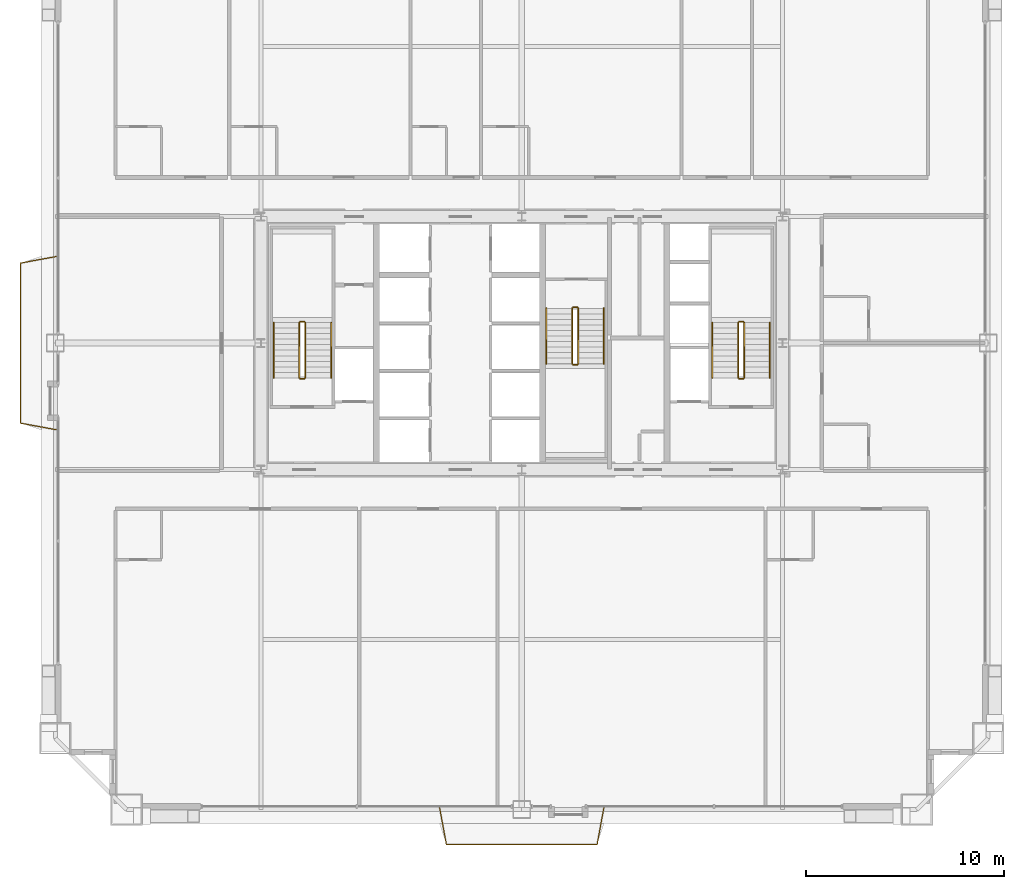
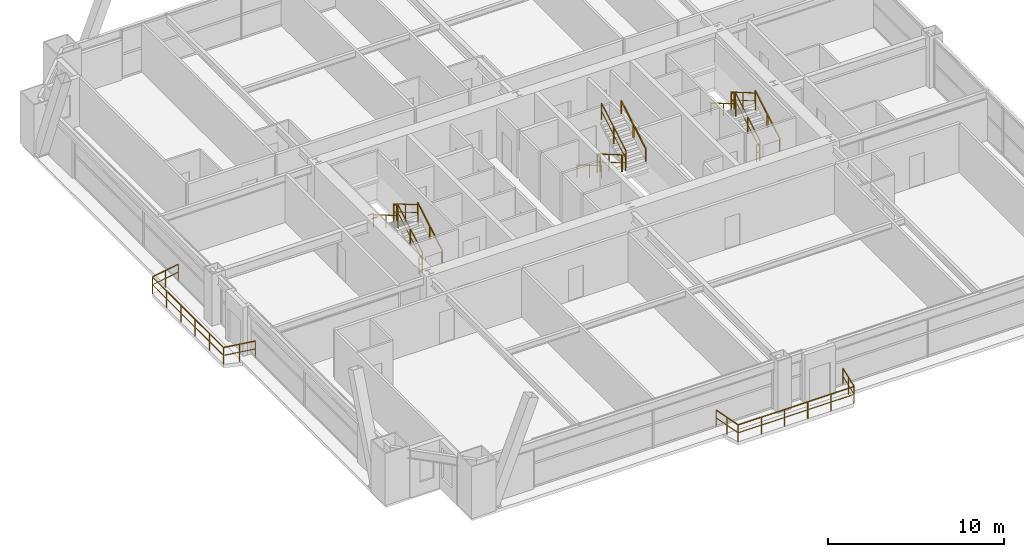
# One storey, part 41 of 41: 20 railings.
"""IFC4 building model written with IfcOpenShell, lengths in metres."""

from ifc_helpers import new_model, si_unit, direction, frame, origin, origin_2d, place, context, subcontext, project, spatial, rectangle, extrude, source, transform, mapped, material, layer, layer_set, type_object, element, save


model = new_model("IFC4")

# Units and contexts
model_context = context("Model", 3, precision=1e-05, world=origin(), true_north=direction((0.0, 1.0)))
body_context = subcontext(model_context, "Body", "Model", "MODEL_VIEW")
ifc_project = project(units=[si_unit("LENGTHUNIT", "METRE"), si_unit("AREAUNIT", "SQUARE_METRE"), si_unit("VOLUMEUNIT", "CUBIC_METRE"), si_unit("PLANEANGLEUNIT", "RADIAN"), si_unit("MASSUNIT", "GRAM", prefix="KILO"), si_unit("THERMODYNAMICTEMPERATUREUNIT", "KELVIN"), si_unit("POWERUNIT", "WATT")], contexts=[model_context])

# Site, building, storey
site_placement = place(None, origin())
site = spatial("IfcSite", under=ifc_project, at=site_placement, CompositionType="ELEMENT")
building_placement = place(site_placement, origin())
building = spatial("IfcBuilding", under=site, at=building_placement, Name="Yuzanri Waterfront Tower", CompositionType="ELEMENT")
storey_placement = place(building_placement, frame((0.0, 0.0, 115.39990234375)))
storey = spatial("IfcBuildingStorey", under=building, at=storey_placement, Name="L30", CompositionType="ELEMENT", Elevation=115.39990234375)

# Railings
ifc_material_1 = material(Name="Anodized Architectural Bronze", Category="metal")
ifc_layer_1 = layer(ifc_material_1, 0.080078125)
ifc_layer_set_1 = layer_set([ifc_layer_1], Name="Anodized Architectural Bronze")
railing_type_1 = type_object("IfcRailingType", Name="Laminated Glass and Bronze Balcony Guardrail 1200", PredefinedType="BALUSTRADE", material=ifc_layer_set_1)
shared_shape_1 = source(origin(), body_context, "Body", "SweptSolid", [
    extrude(rectangle(XDim=0.050048828125, YDim=0.050048828125, at=origin_2d()), frame((0.0, 0.0, 1.1748046875), z_axis=(0.180190088333, -0.983631807165, 0.0), x_axis=(0.983631807165, 0.180190088333, 0.0)), (0.0, 0.0, 1.0), 1.94287109375),
    extrude(rectangle(XDim=0.035888671875, YDim=0.030029296875, at=origin_2d()), frame((0.0, 0.0, 0.6240234375), z_axis=(0.180190088333, -0.983631807165, 0.0), x_axis=(0.983631807165, 0.180190088333, 0.0)), (0.0, 0.0, 1.0), 1.94287109375),
    extrude(rectangle(XDim=0.050048828125, YDim=0.050048828125, at=origin_2d()), frame((0.35009765625, -1.9111328125, 1.1748046875), z_axis=(1.0, 0.0, 0.0), x_axis=(0.0, 1.0, 0.0)), (0.0, 0.0, 1.0), 7.6298828125),
    extrude(rectangle(XDim=0.035888671875, YDim=0.030029296875, at=origin_2d()), frame((0.35009765625, -1.9111328125, 0.6240234375), z_axis=(1.0, 0.0, 0.0), x_axis=(0.0, 1.0, 0.0)), (0.0, 0.0, 1.0), 7.6298828125),
    extrude(rectangle(XDim=0.050048828125, YDim=0.050048828125, at=origin_2d()), frame((7.97998046875, -1.9111328125, 1.1748046875), z_axis=(0.180190088333, 0.983631807165, 0.0), x_axis=(-0.983631807165, 0.180190088333, 0.0)), (0.0, 0.0, 1.0), 1.94287109375),
    extrude(rectangle(XDim=0.035888671875, YDim=0.030029296875, at=origin_2d()), frame((7.97998046875, -1.9111328125, 0.6240234375), z_axis=(0.180190088333, 0.983631807165, 0.0), x_axis=(-0.983631807165, 0.180190088333, 0.0)), (0.0, 0.0, 1.0), 1.94287109375),
    extrude(rectangle(XDim=0.0458984375, YDim=0.0458984375, at=origin_2d()), origin(), (0.0, 0.0, 1.0), 1.14990234375),
    extrude(rectangle(XDim=0.0458984375, YDim=0.0458984375, at=origin_2d()), frame((0.175048828125, -0.95556640625, 0.0)), (0.0, 0.0, 1.0), 1.14990234375),
    extrude(rectangle(XDim=0.0458984375, YDim=0.0458984375, at=origin_2d()), frame((0.35009765625, -1.9111328125, 0.0)), (0.0, 0.0, 1.0), 1.14990234375),
    extrude(rectangle(XDim=0.0458984375, YDim=0.0458984375, at=origin_2d()), frame((1.8759765625, -1.9111328125, 0.0)), (0.0, 0.0, 1.0), 1.14990234375),
    extrude(rectangle(XDim=0.0458984375, YDim=0.0458984375, at=origin_2d()), frame((3.402099609375, -1.9111328125, 0.0)), (0.0, 0.0, 1.0), 1.14990234375),
    extrude(rectangle(XDim=0.0458984375, YDim=0.0458984375, at=origin_2d()), frame((4.927978515625, -1.9111328125, 0.0)), (0.0, 0.0, 1.0), 1.14990234375),
    extrude(rectangle(XDim=0.0458984375, YDim=0.0458984375, at=origin_2d()), frame((6.4541015625, -1.9111328125, 0.0)), (0.0, 0.0, 1.0), 1.14990234375),
    extrude(rectangle(XDim=0.0458984375, YDim=0.0458984375, at=origin_2d()), frame((7.97998046875, -1.9111328125, 0.0)), (0.0, 0.0, 1.0), 1.14990234375),
    extrude(rectangle(XDim=0.0458984375, YDim=0.0458984375, at=origin_2d()), frame((8.155029296875, -0.95556640625, 0.0)), (0.0, 0.0, 1.0), 1.14990234375),
    extrude(rectangle(XDim=0.0458984375, YDim=0.0458984375, at=origin_2d()), frame((8.330078125, 0.0, 0.0)), (0.0, 0.0, 1.0), 1.14990234375),
])
railing_1_placement = place(storey_placement, frame((32.8349609375, 2.35009765625, 0.0)))
element("IfcRailing", 1, at=railing_1_placement, inside=storey, type_object=railing_type_1, Name="L30 S Engawa Terrace Guardrail", PredefinedType="BALUSTRADE", context=body_context, shape_type="MappedRepresentation", body=[
    mapped(shared_shape_1, transform((0.0, 0.0, 0.0), scale=1.0)),
])
shared_shape_2 = source(origin(), body_context, "Body", "SweptSolid", [
    extrude(rectangle(XDim=0.050048828125, YDim=0.050048828125, at=origin_2d()), frame((0.0, 0.0, 1.1748046875), z_axis=(-0.983631807165, 0.180190088333, 0.0), x_axis=(-0.180190088333, -0.983631807165, 0.0)), (0.0, 0.0, 1.0), 1.94287109375),
    extrude(rectangle(XDim=0.035888671875, YDim=0.030029296875, at=origin_2d()), frame((0.0, 0.0, 0.6240234375), z_axis=(-0.983631807165, 0.180190088333, 0.0), x_axis=(-0.180190088333, -0.983631807165, 0.0)), (0.0, 0.0, 1.0), 1.94287109375),
    extrude(rectangle(XDim=0.050048828125, YDim=0.050048828125, at=origin_2d()), frame((-1.9111328125, 0.35009765625, 1.1748046875), z_axis=(0.0, 1.0, 0.0), x_axis=(-1.0, 0.0, 0.0)), (0.0, 0.0, 1.0), 8.10009765625),
    extrude(rectangle(XDim=0.035888671875, YDim=0.030029296875, at=origin_2d()), frame((-1.9111328125, 0.35009765625, 0.6240234375), z_axis=(0.0, 1.0, 0.0), x_axis=(-1.0, 0.0, 0.0)), (0.0, 0.0, 1.0), 8.10009765625),
    extrude(rectangle(XDim=0.050048828125, YDim=0.050048828125, at=origin_2d()), frame((-1.9111328125, 8.4501953125, 1.1748046875), z_axis=(0.983654071437, 0.180068508478, 0.0), x_axis=(-0.180068508478, 0.983654071437, 0.0)), (0.0, 0.0, 1.0), 1.94287109375),
    extrude(rectangle(XDim=0.035888671875, YDim=0.030029296875, at=origin_2d()), frame((-1.9111328125, 8.4501953125, 0.6240234375), z_axis=(0.983654071437, 0.180068508478, 0.0), x_axis=(-0.180068508478, 0.983654071437, 0.0)), (0.0, 0.0, 1.0), 1.94287109375),
    extrude(rectangle(XDim=0.0458984375, YDim=0.0458984375, at=origin_2d()), origin(), (0.0, 0.0, 1.0), 1.14990234375),
    extrude(rectangle(XDim=0.0458984375, YDim=0.0458984375, at=origin_2d()), frame((-0.95556640625, 0.175048828125, 0.0)), (0.0, 0.0, 1.0), 1.14990234375),
    extrude(rectangle(XDim=0.0458984375, YDim=0.0458984375, at=origin_2d()), frame((-1.9111328125, 0.35009765625, 0.0)), (0.0, 0.0, 1.0), 1.14990234375),
    extrude(rectangle(XDim=0.0458984375, YDim=0.0458984375, at=origin_2d()), frame((-1.9111328125, 1.97021484375, 0.0)), (0.0, 0.0, 1.0), 1.14990234375),
    extrude(rectangle(XDim=0.0458984375, YDim=0.0458984375, at=origin_2d()), frame((-1.9111328125, 3.590087890625, 0.0)), (0.0, 0.0, 1.0), 1.14990234375),
    extrude(rectangle(XDim=0.0458984375, YDim=0.0458984375, at=origin_2d()), frame((-1.9111328125, 5.210205078125, 0.0)), (0.0, 0.0, 1.0), 1.14990234375),
    extrude(rectangle(XDim=0.0458984375, YDim=0.0458984375, at=origin_2d()), frame((-1.9111328125, 6.830078125, 0.0)), (0.0, 0.0, 1.0), 1.14990234375),
    extrude(rectangle(XDim=0.0458984375, YDim=0.0458984375, at=origin_2d()), frame((-1.9111328125, 8.4501953125, 0.0)), (0.0, 0.0, 1.0), 1.14990234375),
    extrude(rectangle(XDim=0.0458984375, YDim=0.0458984375, at=origin_2d()), frame((-0.95556640625, 8.625, 0.0)), (0.0, 0.0, 1.0), 1.14990234375),
    extrude(rectangle(XDim=0.0458984375, YDim=0.0458984375, at=origin_2d()), frame((0.0, 8.800048828125, 0.0)), (0.0, 0.0, 1.0), 1.14990234375),
])
railing_2_placement = place(storey_placement, frame((13.550048828125, 21.39990234375, 0.0)))
element("IfcRailing", 2, at=railing_2_placement, inside=storey, type_object=railing_type_1, Name="L30 W Engawa Terrace Guardrail", PredefinedType="BALUSTRADE", context=body_context, shape_type="MappedRepresentation", body=[
    mapped(shared_shape_2, transform((0.0, 0.0, 0.0), scale=1.0)),
])
ifc_material_2 = material(Name="Painted Galvanized Fire Steel", Category="steel")
ifc_layer_2 = layer(ifc_material_2, 0.06005859375)
ifc_layer_set_2 = layer_set([ifc_layer_2], Name="Painted Galvanized Fire Steel")
railing_type_2 = type_object("IfcRailingType", Name="Painted Steel Stairwell Guardrail 1120", PredefinedType="GUARDRAIL", material=ifc_layer_set_2)
shared_shape_3 = source(origin(), body_context, "Body", "SweptSolid", [
    extrude(rectangle(XDim=0.050048828125, YDim=0.050048828125, at=origin_2d()), frame((0.0, 0.0, 1.1748046875), z_axis=(-1.0, 0.0, 0.0), x_axis=(0.0, -1.0, 0.0)), (0.0, 0.0, 1.0), 0.199951171875),
    extrude(rectangle(XDim=0.035888671875, YDim=0.030029296875, at=origin_2d()), frame((0.0, 0.0, 0.6240234375), z_axis=(-1.0, 0.0, 0.0), x_axis=(0.0, -1.0, 0.0)), (0.0, 0.0, 1.0), 0.199951171875),
    extrude(rectangle(XDim=0.0458984375, YDim=0.0458984375, at=origin_2d()), origin(), (0.0, 0.0, 1.0), 1.14990234375),
    extrude(rectangle(XDim=0.0458984375, YDim=0.0458984375, at=origin_2d()), frame((-0.199951171875, 0.0, 0.0)), (0.0, 0.0, 1.0), 1.14990234375),
])
for number, where, name in (
    (3, (26.0, 26.889892578125, 1.800048828125), "L30 ST-01 stair guard 2"),
    (4, (26.0, 23.989990234375, 0.0), "L30 ST-01 stair guard 4"),
    (5, (48.199951171875, 26.889892578125, 1.800048828125), "L30 ST-02 stair guard 2"),
    (6, (48.199951171875, 23.989990234375, 0.0), "L30 ST-02 stair guard 4"),
):
    element("IfcRailing", number, at=place(storey_placement, frame(where)), inside=storey, type_object=railing_type_2, Name=name, PredefinedType="GUARDRAIL", context=body_context, shape_type="MappedRepresentation", body=[
        mapped(shared_shape_3, transform((0.0, 0.0, 0.0), scale=1.0)),
    ])
shared_shape_4 = source(origin(), body_context, "Body", "SweptSolid", [
    extrude(rectangle(XDim=0.050048828125, YDim=0.050048828125, at=origin_2d()), frame((0.0, 0.0, 1.1748046875), z_axis=(0.0, 0.863393664356, 0.504530851732), x_axis=(-1.0, 0.0, 0.0)), (0.0, 0.0, 1.0), 3.2431640625),
    extrude(rectangle(XDim=0.035888671875, YDim=0.030029296875, at=origin_2d()), frame((0.0, 0.0, 0.6240234375), z_axis=(0.0, 0.863393664356, 0.504530851732), x_axis=(-1.0, 0.0, 0.0)), (0.0, 0.0, 1.0), 3.2431640625),
    extrude(rectangle(XDim=0.0458984375, YDim=0.0458984375, at=origin_2d()), origin(), (0.0, 0.0, 1.0), 1.14990234375),
    extrude(rectangle(XDim=0.0458984375, YDim=0.0458984375, at=origin_2d()), frame((0.0, 1.39990234375, 0.818115234375)), (0.0, 0.0, 1.0), 1.14990234375),
    extrude(rectangle(XDim=0.0458984375, YDim=0.0458984375, at=origin_2d()), frame((0.0, 2.800048828125, 1.63623046875)), (0.0, 0.0, 1.0), 1.14990234375),
])
for number, where, name in (
    (7, (26.050048828125, 24.0400390625, 0.163818359375), "L30 ST-01 stair guard 1"),
    (8, (48.25, 24.0400390625, 0.163818359375), "L30 ST-02 stair guard 1"),
):
    element("IfcRailing", number, at=place(storey_placement, frame(where)), inside=storey, type_object=railing_type_2, Name=name, PredefinedType="GUARDRAIL", context=body_context, shape_type="MappedRepresentation", body=[
        mapped(shared_shape_4, transform((0.0, 0.0, 0.0), scale=1.0)),
    ])
shared_shape_5 = source(origin(), body_context, "Body", "SweptSolid", [
    extrude(rectangle(XDim=0.050048828125, YDim=0.050048828125, at=origin_2d()), frame((0.0, 0.0, 1.1748046875), z_axis=(0.0, -0.863393664356, 0.504530851732), x_axis=(1.0, 0.0, 0.0)), (0.0, 0.0, 1.0), 3.2431640625),
    extrude(rectangle(XDim=0.035888671875, YDim=0.030029296875, at=origin_2d()), frame((0.0, 0.0, 0.6240234375), z_axis=(0.0, -0.863393664356, 0.504530851732), x_axis=(1.0, 0.0, 0.0)), (0.0, 0.0, 1.0), 3.2431640625),
    extrude(rectangle(XDim=0.0458984375, YDim=0.0458984375, at=origin_2d()), origin(), (0.0, 0.0, 1.0), 1.14990234375),
    extrude(rectangle(XDim=0.0458984375, YDim=0.0458984375, at=origin_2d()), frame((0.0, -1.39990234375, 0.818115234375)), (0.0, 0.0, 1.0), 1.14990234375),
    extrude(rectangle(XDim=0.0458984375, YDim=0.0458984375, at=origin_2d()), frame((0.0, -2.800048828125, 1.63623046875)), (0.0, 0.0, 1.0), 1.14990234375),
])
railing_3_placement = place(storey_placement, frame((39.550048828125, 27.56005859375, 0.163818359375)))
element("IfcRailing", 9, at=railing_3_placement, inside=storey, type_object=railing_type_2, Name="L30 ST-03 stair guard 1", PredefinedType="GUARDRAIL", context=body_context, shape_type="MappedRepresentation", body=[
    mapped(shared_shape_5, transform((0.0, 0.0, 0.0), scale=1.0)),
])
ifc_material_3 = material(Name="Anodized Architectural Bronze", Category="metal")
ifc_layer_3 = layer(ifc_material_3, 0.050048828125)
ifc_layer_set_3 = layer_set([ifc_layer_3], Name="Anodized Architectural Bronze")
railing_type_3 = type_object("IfcRailingType", Name="Brushed Bronze Stair Pitch Handrail 920", PredefinedType="HANDRAIL", material=ifc_layer_set_3)
shared_shape_6 = source(origin(), body_context, "Body", "SweptSolid", [
    extrude(rectangle(XDim=0.050048828125, YDim=0.050048828125, at=origin_2d()), frame((0.0, 0.0, 0.875), z_axis=(0.0, 0.863393664356, 0.504530851732), x_axis=(-1.0, 0.0, 0.0)), (0.0, 0.0, 1.0), 3.2431640625),
    extrude(rectangle(XDim=0.0458984375, YDim=0.0458984375, at=origin_2d()), origin(), (0.0, 0.0, 1.0), 0.849853515625),
    extrude(rectangle(XDim=0.0458984375, YDim=0.0458984375, at=origin_2d()), frame((0.0, 1.39990234375, 0.818115234375)), (0.0, 0.0, 1.0), 0.849853515625),
    extrude(rectangle(XDim=0.0458984375, YDim=0.0458984375, at=origin_2d()), frame((0.0, 2.800048828125, 1.63623046875)), (0.0, 0.0, 1.0), 0.849853515625),
])
for number, where, name in (
    (10, (27.35009765625, 24.0400390625, 0.163818359375), "L30 ST-01 stair handrail 1"),
    (11, (49.550048828125, 24.0400390625, 0.163818359375), "L30 ST-02 stair handrail 1"),
):
    element("IfcRailing", number, at=place(storey_placement, frame(where)), inside=storey, type_object=railing_type_3, Name=name, PredefinedType="HANDRAIL", context=body_context, shape_type="MappedRepresentation", body=[
        mapped(shared_shape_6, transform((0.0, 0.0, 0.0), scale=1.0)),
    ])
shared_shape_7 = source(origin(), body_context, "Body", "SweptSolid", [
    extrude(rectangle(XDim=0.050048828125, YDim=0.050048828125, at=origin_2d()), frame((0.0, 0.0, 0.875), z_axis=(0.0, -0.863393664356, 0.504530851732), x_axis=(1.0, 0.0, 0.0)), (0.0, 0.0, 1.0), 3.2431640625),
    extrude(rectangle(XDim=0.0458984375, YDim=0.0458984375, at=origin_2d()), origin(), (0.0, 0.0, 1.0), 0.849853515625),
    extrude(rectangle(XDim=0.0458984375, YDim=0.0458984375, at=origin_2d()), frame((0.0, -1.39990234375, 0.818115234375)), (0.0, 0.0, 1.0), 0.849853515625),
    extrude(rectangle(XDim=0.0458984375, YDim=0.0458984375, at=origin_2d()), frame((0.0, -2.800048828125, 1.63623046875)), (0.0, 0.0, 1.0), 0.849853515625),
])
railing_4_placement = place(storey_placement, frame((38.25, 27.56005859375, 0.163818359375)))
element("IfcRailing", 12, at=railing_4_placement, inside=storey, type_object=railing_type_3, Name="L30 ST-03 stair handrail 1", PredefinedType="HANDRAIL", context=body_context, shape_type="MappedRepresentation", body=[
    mapped(shared_shape_7, transform((0.0, 0.0, 0.0), scale=1.0)),
])
shared_shape_8 = source(origin(), body_context, "Body", "SweptSolid", [
    extrude(rectangle(XDim=0.050048828125, YDim=0.050048828125, at=origin_2d()), frame((0.0, 0.0, 1.1748046875), z_axis=(0.0, 0.863360870873, 0.504586966384), x_axis=(-1.0, 0.0, 0.0)), (0.0, 0.0, 1.0), 3.2431640625),
    extrude(rectangle(XDim=0.035888671875, YDim=0.030029296875, at=origin_2d()), frame((0.0, 0.0, 0.6240234375), z_axis=(0.0, 0.863360870873, 0.504586966384), x_axis=(-1.0, 0.0, 0.0)), (0.0, 0.0, 1.0), 3.2431640625),
    extrude(rectangle(XDim=0.0458984375, YDim=0.0458984375, at=origin_2d()), origin(), (0.0, 0.0, 1.0), 1.14990234375),
    extrude(rectangle(XDim=0.0458984375, YDim=0.0458984375, at=origin_2d()), frame((0.0, 1.39990234375, 0.818359375)), (0.0, 0.0, 1.0), 1.14990234375),
    extrude(rectangle(XDim=0.0458984375, YDim=0.0458984375, at=origin_2d()), frame((0.0, 2.800048828125, 1.636474609375)), (0.0, 0.0, 1.0), 1.14990234375),
])
railing_5_placement = place(storey_placement, frame((39.85009765625, 24.760009765625, 1.963623046875)))
element("IfcRailing", 13, at=railing_5_placement, inside=storey, type_object=railing_type_2, Name="L30 ST-03 stair guard 3", PredefinedType="GUARDRAIL", context=body_context, shape_type="MappedRepresentation", body=[
    mapped(shared_shape_8, transform((0.0, 0.0, 0.0), scale=1.0)),
])
shared_shape_9 = source(origin(), body_context, "Body", "SweptSolid", [
    extrude(rectangle(XDim=0.050048828125, YDim=0.050048828125, at=origin_2d()), frame((0.0, 0.0, 1.1748046875), z_axis=(0.0, -0.863360870873, 0.504586966384), x_axis=(1.0, 0.0, 0.0)), (0.0, 0.0, 1.0), 3.2431640625),
    extrude(rectangle(XDim=0.035888671875, YDim=0.030029296875, at=origin_2d()), frame((0.0, 0.0, 0.6240234375), z_axis=(0.0, -0.863360870873, 0.504586966384), x_axis=(1.0, 0.0, 0.0)), (0.0, 0.0, 1.0), 3.2431640625),
    extrude(rectangle(XDim=0.0458984375, YDim=0.0458984375, at=origin_2d()), origin(), (0.0, 0.0, 1.0), 1.14990234375),
    extrude(rectangle(XDim=0.0458984375, YDim=0.0458984375, at=origin_2d()), frame((0.0, -1.39990234375, 0.818359375)), (0.0, 0.0, 1.0), 1.14990234375),
    extrude(rectangle(XDim=0.0458984375, YDim=0.0458984375, at=origin_2d()), frame((0.0, -2.800048828125, 1.636474609375)), (0.0, 0.0, 1.0), 1.14990234375),
])
for number, where, name in (
    (14, (25.75, 26.840087890625, 1.963623046875), "L30 ST-01 stair guard 3"),
    (15, (47.949951171875, 26.840087890625, 1.963623046875), "L30 ST-02 stair guard 3"),
):
    element("IfcRailing", number, at=place(storey_placement, frame(where)), inside=storey, type_object=railing_type_2, Name=name, PredefinedType="GUARDRAIL", context=body_context, shape_type="MappedRepresentation", body=[
        mapped(shared_shape_9, transform((0.0, 0.0, 0.0), scale=1.0)),
    ])
shared_shape_10 = source(origin(), body_context, "Body", "SweptSolid", [
    extrude(rectangle(XDim=0.050048828125, YDim=0.050048828125, at=origin_2d()), frame((0.0, 0.0, 0.875), z_axis=(0.0, 0.863360870873, 0.504586966384), x_axis=(-1.0, 0.0, 0.0)), (0.0, 0.0, 1.0), 3.2431640625),
    extrude(rectangle(XDim=0.0458984375, YDim=0.0458984375, at=origin_2d()), origin(), (0.0, 0.0, 1.0), 0.849853515625),
    extrude(rectangle(XDim=0.0458984375, YDim=0.0458984375, at=origin_2d()), frame((0.0, 1.39990234375, 0.818359375)), (0.0, 0.0, 1.0), 0.849853515625),
    extrude(rectangle(XDim=0.0458984375, YDim=0.0458984375, at=origin_2d()), frame((0.0, 2.800048828125, 1.636474609375)), (0.0, 0.0, 1.0), 0.849853515625),
])
railing_6_placement = place(storey_placement, frame((41.14990234375, 24.760009765625, 1.963623046875)))
element("IfcRailing", 16, at=railing_6_placement, inside=storey, type_object=railing_type_3, Name="L30 ST-03 stair handrail 2", PredefinedType="HANDRAIL", context=body_context, shape_type="MappedRepresentation", body=[
    mapped(shared_shape_10, transform((0.0, 0.0, 0.0), scale=1.0)),
])
shared_shape_11 = source(origin(), body_context, "Body", "SweptSolid", [
    extrude(rectangle(XDim=0.050048828125, YDim=0.050048828125, at=origin_2d()), frame((0.0, 0.0, 0.875), z_axis=(0.0, -0.863360870873, 0.504586966384), x_axis=(1.0, 0.0, 0.0)), (0.0, 0.0, 1.0), 3.2431640625),
    extrude(rectangle(XDim=0.0458984375, YDim=0.0458984375, at=origin_2d()), origin(), (0.0, 0.0, 1.0), 0.849853515625),
    extrude(rectangle(XDim=0.0458984375, YDim=0.0458984375, at=origin_2d()), frame((0.0, -1.39990234375, 0.818359375)), (0.0, 0.0, 1.0), 0.849853515625),
    extrude(rectangle(XDim=0.0458984375, YDim=0.0458984375, at=origin_2d()), frame((0.0, -2.800048828125, 1.636474609375)), (0.0, 0.0, 1.0), 0.849853515625),
])
for number, where, name in (
    (17, (24.449951171875, 26.840087890625, 1.963623046875), "L30 ST-01 stair handrail 2"),
    (18, (46.64990234375, 26.840087890625, 1.963623046875), "L30 ST-02 stair handrail 2"),
):
    element("IfcRailing", number, at=place(storey_placement, frame(where)), inside=storey, type_object=railing_type_3, Name=name, PredefinedType="HANDRAIL", context=body_context, shape_type="MappedRepresentation", body=[
        mapped(shared_shape_11, transform((0.0, 0.0, 0.0), scale=1.0)),
    ])
shared_shape_12 = source(origin(), body_context, "Body", "SweptSolid", [
    extrude(rectangle(XDim=0.050048828125, YDim=0.050048828125, at=origin_2d()), frame((0.0, 0.0, 1.1748046875), z_axis=(1.0, 0.0, 0.0), x_axis=(0.0, 1.0, 0.0)), (0.0, 0.0, 1.0), 0.199951171875),
    extrude(rectangle(XDim=0.035888671875, YDim=0.030029296875, at=origin_2d()), frame((0.0, 0.0, 0.6240234375), z_axis=(1.0, 0.0, 0.0), x_axis=(0.0, 1.0, 0.0)), (0.0, 0.0, 1.0), 0.199951171875),
    extrude(rectangle(XDim=0.0458984375, YDim=0.0458984375, at=origin_2d()), origin(), (0.0, 0.0, 1.0), 1.14990234375),
    extrude(rectangle(XDim=0.0458984375, YDim=0.0458984375, at=origin_2d()), frame((0.199951171875, 0.0, 0.0)), (0.0, 0.0, 1.0), 1.14990234375),
])
for number, where, name in (
    (19, (39.60009765625, 24.7099609375, 1.800048828125), "L30 ST-03 stair guard 2"),
    (20, (39.60009765625, 27.610107421875, 0.0), "L30 ST-03 stair guard 4"),
):
    element("IfcRailing", number, at=place(storey_placement, frame(where)), inside=storey, type_object=railing_type_2, Name=name, PredefinedType="GUARDRAIL", context=body_context, shape_type="MappedRepresentation", body=[
        mapped(shared_shape_12, transform((0.0, 0.0, 0.0), scale=1.0)),
    ])

save(model, "model.ifc")
